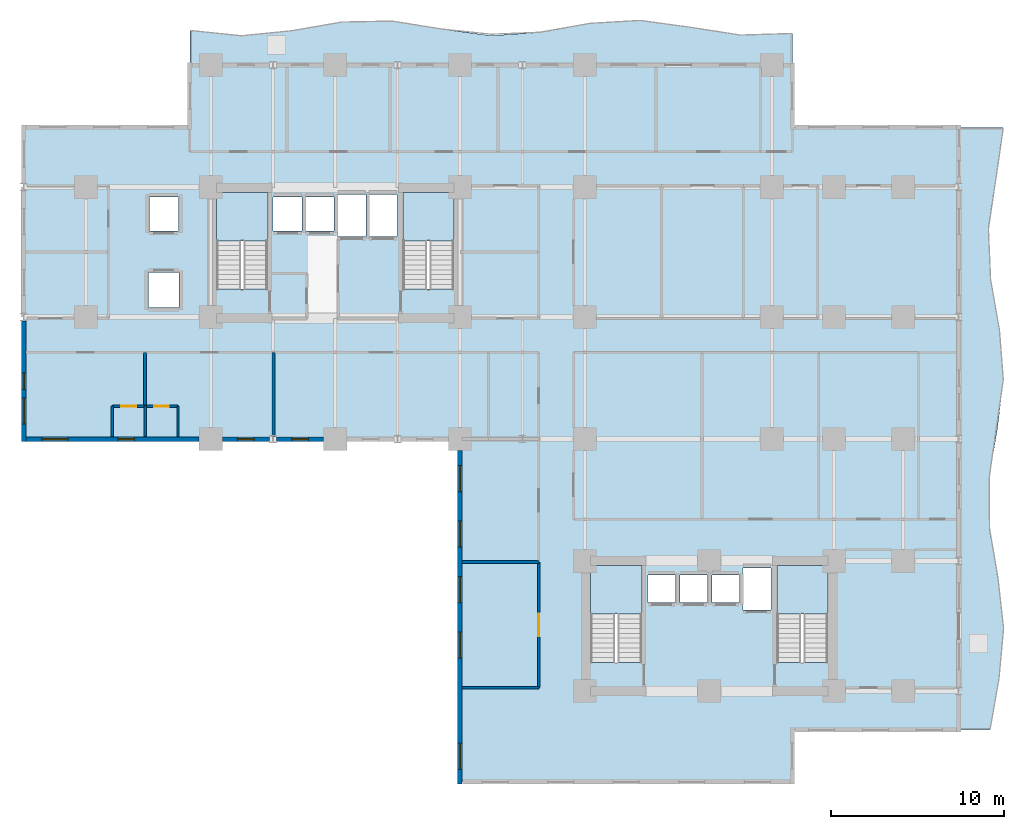
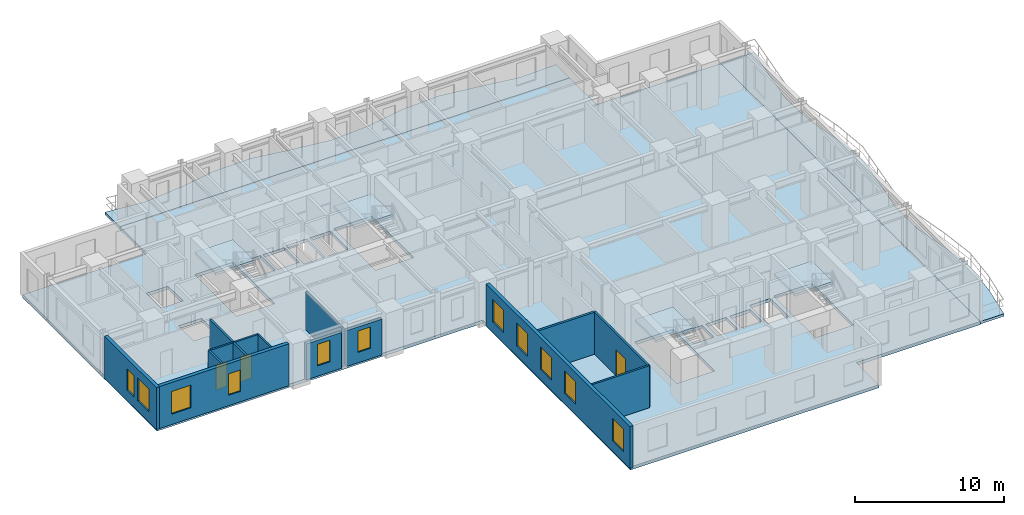
# One storey, part 2 of 11: 15 walls, 11 windows, 7 slabs, 3 doors, 14 openings, 4 elements without a shape of their own.
"""IFC4 building model written with IfcOpenShell, lengths in metres."""

import ifcopenshell
import ifcopenshell.guid

model = None  # the IFC model being written
_history = None  # IfcOwnerHistory: only IFC2X3 demands one
_inside = {}  # id of a spatial element -> (the spatial element, [elements in it])
_under = {}  # id of a project, library or spatial element -> (it, [spatial elements below it])
_declared = {}  # id of a project -> (the project, [libraries it declares])
_typed = {}  # id of a type object -> (the type object, [elements of that type])
_made_of = {}  # id of a material, layer set ... -> (it, [elements and type objects made of it])


def new_model(schema):
    """Start an empty IFC model of exactly this schema.

    Asked for "IFC4X3", IfcOpenShell would pick the latest addendum, in which some entities
    have other attributes; the version numbers below select the first issue.
    IFC2X3 requires an IfcOwnerHistory on every rooted entity: one is made here for all.
    """
    global model, _history
    if schema == "IFC4X3":
        model = ifcopenshell.file(schema_version=(4, 3, 0, 0))
    else:
        model = ifcopenshell.file(schema=schema)
    _inside.clear()
    _under.clear()
    _declared.clear()
    _typed.clear()
    _made_of.clear()
    _history = None
    if model.schema == "IFC2X3":
        org = make("IfcOrganization", Name="unknown")
        user = make(
            "IfcPersonAndOrganization",
            ThePerson=make("IfcPerson", FamilyName="unknown"),
            TheOrganization=org,
        )
        app = make(
            "IfcApplication",
            ApplicationDeveloper=org,
            Version="unknown",
            ApplicationFullName="unknown",
            ApplicationIdentifier="unknown",
        )
        _history = make(
            "IfcOwnerHistory",
            OwningUser=user,
            OwningApplication=app,
            ChangeAction="ADDED",
            CreationDate=0,
        )
    return model


def make(cls, **values):
    """One entity of the class cls with the attributes given. An attribute that is None is left unset."""
    return model.create_entity(
        cls, **{name: value for name, value in values.items() if value is not None}
    )


def rooted(cls, **values):
    """An entity with a GlobalId (a new one), such as an element, a storey or a relation."""
    return make(cls, GlobalId=ifcopenshell.guid.new(), OwnerHistory=_history, **values)


def si_unit(unit_type, name, prefix=None):
    """IfcSIUnit, for example si_unit("LENGTHUNIT", "METRE", prefix="MILLI")."""
    return make("IfcSIUnit", UnitType=unit_type, Prefix=prefix, Name=name)


def assignment(units):
    """IfcUnitAssignment: the units of a project."""
    return None if units is None else make("IfcUnitAssignment", Units=units)


def point(xyz):
    """IfcCartesianPoint."""
    return None if xyz is None else make("IfcCartesianPoint", Coordinates=xyz)


def direction(xyz):
    """IfcDirection."""
    return None if xyz is None else make("IfcDirection", DirectionRatios=xyz)


def frame(location, z_axis=None, x_axis=None):
    """IfcAxis2Placement3D, a coordinate frame: its origin and axes. An axis left out is left unset."""
    return make(
        "IfcAxis2Placement3D",
        Location=point(location),
        Axis=direction(z_axis),
        RefDirection=direction(x_axis),
    )


def frame_2d(location, x_axis=None):
    """IfcAxis2Placement2D, a coordinate frame in the plane: its origin and x axis."""
    return make(
        "IfcAxis2Placement2D", Location=point(location), RefDirection=direction(x_axis)
    )


def origin():
    """The frame at (0, 0, 0) with its axes left unset."""
    return frame((0.0, 0.0, 0.0))


def place(relative_to, where):
    """IfcLocalPlacement: puts the frame where relative to a parent placement (None: the world)."""
    return make(
        "IfcLocalPlacement", PlacementRelTo=relative_to, RelativePlacement=where
    )


def context(
    kind, dimensions, precision=None, world=None, true_north=None, identifier=None
):
    """IfcGeometricRepresentationContext, for example the 3D "Model" context."""
    return make(
        "IfcGeometricRepresentationContext",
        ContextIdentifier=identifier,
        ContextType=kind,
        CoordinateSpaceDimension=dimensions,
        Precision=precision,
        WorldCoordinateSystem=world,
        TrueNorth=true_north,
    )


def subcontext(parent, identifier, kind, view, scale=None):
    """IfcGeometricRepresentationSubContext, for example "Body" below "Model"."""
    return make(
        "IfcGeometricRepresentationSubContext",
        ContextIdentifier=identifier,
        ContextType=kind,
        ParentContext=parent,
        TargetScale=scale,
        TargetView=view,
    )


def project(units=None, contexts=None):
    """IfcProject with its units and contexts."""
    return rooted(
        "IfcProject",
        Name="project",
        RepresentationContexts=contexts,
        UnitsInContext=assignment(units),
    )


def spatial(cls, under=None, at=None, **own):
    """A site, building, storey or space (cls), placed at a placement, below another one or the project."""
    s = rooted(cls, ObjectPlacement=at, **own)
    if under is not None:
        _under.setdefault(under.id(), (under, []))[1].append(s)
    return s


def polyline(points):
    """IfcPolyline through the points."""
    return make("IfcPolyline", Points=[point(p) for p in points])


def profile(cls, at=None, kind="AREA", **sizes):
    """A parametric profile (cls). Its sizes go by their IFC names, for example OverallWidth=200.0."""
    return make(cls, ProfileType=kind, Position=at, **sizes)


def rectangle(**sizes):
    """IfcRectangleProfileDef."""
    return profile("IfcRectangleProfileDef", **sizes)


def outline(outer, holes=None, kind="AREA"):
    """IfcArbitraryClosedProfileDef: a profile drawn as a closed curve; with holes, ...WithVoids."""
    if holes is None:
        return make("IfcArbitraryClosedProfileDef", ProfileType=kind, OuterCurve=outer)
    return make(
        "IfcArbitraryProfileDefWithVoids",
        ProfileType=kind,
        OuterCurve=outer,
        InnerCurves=holes,
    )


def extrude(swept, where, along, depth):
    """IfcExtrudedAreaSolid: the profile swept, set in the frame where, extruded along a direction by depth."""
    return make(
        "IfcExtrudedAreaSolid",
        SweptArea=swept,
        Position=where,
        ExtrudedDirection=direction(along),
        Depth=depth,
    )


def shape(context_of_items, identifier, shape_type, items):
    """IfcShapeRepresentation: the items that make up one representation, for example the "Body"."""
    return make(
        "IfcShapeRepresentation",
        ContextOfItems=context_of_items,
        RepresentationIdentifier=identifier,
        RepresentationType=shape_type,
        Items=items,
    )


def material(Name=None, Category=None):
    """IfcMaterial."""
    return make("IfcMaterial", Name=Name, Category=Category)


def layer(
    of_material, thickness, ventilated=None, Name=None, Category=None, Priority=None
):
    """IfcMaterialLayer: one layer of a wall or slab, of a material (None: an air gap)."""
    return make(
        "IfcMaterialLayer",
        Material=of_material,
        LayerThickness=thickness,
        IsVentilated=ventilated,
        Name=Name,
        Category=Category,
        Priority=Priority,
    )


def layer_set(layers, Name=None):
    """IfcMaterialLayerSet."""
    return make("IfcMaterialLayerSet", MaterialLayers=layers, LayerSetName=Name)


def made_of(thing, what):
    """Note that an element or type object is made of a material, layer set ...; save() writes the relation."""
    if what is not None:
        _made_of.setdefault(what.id(), (what, []))[1].append(thing)
    return thing


def type_object(cls, material=None, **own):
    """A type object (cls), such as IfcWallType, which elements share."""
    return made_of(rooted(cls, **own), material)


def element(
    cls,
    number,
    at=None,
    inside=None,
    cuts=None,
    type_object=None,
    material=None,
    context=None,
    identifier="Body",
    shape_type=None,
    held_by="IfcProductDefinitionShape",
    body=None,
    shapes=None,
    **own,
):
    """One element of the class cls, such as IfcWall. Its Tag is "e" and its number.

    at: its placement. inside: the storey or other place that contains it. cuts: it is an
    opening in that element (IfcRelVoidsElement). A single representation is given by context,
    identifier, shape_type and body (its items); several are given by shapes. held_by: the class
    of the entity that holds the representations. save() writes the other relations.
    """
    e = rooted(cls, Tag="e%d" % number, ObjectPlacement=at, **own)
    if body is not None:
        shapes = [shape(context, identifier, shape_type, body)]
    if shapes is not None:
        e.Representation = make(held_by, Representations=shapes)
    if inside is not None:
        _inside.setdefault(inside.id(), (inside, []))[1].append(e)
    if cuts is not None:
        rooted(
            "IfcRelVoidsElement", RelatingBuildingElement=cuts, RelatedOpeningElement=e
        )
    if type_object is not None:
        _typed.setdefault(type_object.id(), (type_object, []))[1].append(e)
    return made_of(e, material)


def fill(opening, filler):
    """IfcRelFillsElement: the door or window that sits in an opening."""
    return rooted(
        "IfcRelFillsElement",
        RelatingOpeningElement=opening,
        RelatedBuildingElement=filler,
    )


def aggregate(whole, parts):
    """IfcRelAggregates: a whole, such as a stair, and the parts it consists of."""
    return rooted("IfcRelAggregates", RelatingObject=whole, RelatedObjects=parts)


def save(model, path):
    """Write the relations noted so far, then the file.

    IfcRelAggregates (storeys below a building ...), IfcRelContainedInSpatialStructure (elements
    in a storey), IfcRelDefinesByType, IfcRelAssociatesMaterial and IfcRelDeclares: one each for
    every whole, place, type object, material and project.
    """
    for whole, parts in _under.values():
        aggregate(whole, parts)
    for where, things in _inside.values():
        rooted(
            "IfcRelContainedInSpatialStructure",
            RelatedElements=things,
            RelatingStructure=where,
        )
    for kind, things in _typed.values():
        rooted("IfcRelDefinesByType", RelatedObjects=things, RelatingType=kind)
    for what, things in _made_of.values():
        rooted("IfcRelAssociatesMaterial", RelatedObjects=things, RelatingMaterial=what)
    for by, libraries in _declared.values():
        rooted("IfcRelDeclares", RelatingContext=by, RelatedDefinitions=libraries)
    model.write(path)


model = new_model("IFC4")

# Units and contexts
model_context = context("Model", 3, precision=1e-05, world=origin(), true_north=direction((0.0, 1.0)))
body_context = subcontext(model_context, "Body", "Model", "MODEL_VIEW")
ifc_project = project(units=[si_unit("LENGTHUNIT", "METRE"), si_unit("AREAUNIT", "SQUARE_METRE"), si_unit("VOLUMEUNIT", "CUBIC_METRE"), si_unit("PLANEANGLEUNIT", "RADIAN"), si_unit("MASSUNIT", "GRAM", prefix="KILO")], contexts=[model_context])

# Site, building, storey
site_placement = place(None, origin())
site = spatial("IfcSite", under=ifc_project, at=site_placement, CompositionType="ELEMENT")
building_placement = place(site_placement, origin())
building = spatial("IfcBuilding", under=site, at=building_placement, Name="Kaliganga Portal Commons", CompositionType="ELEMENT")
storey_placement = place(building_placement, frame((0.0, 0.0, 54.89990234375)))
storey = spatial("IfcBuildingStorey", under=building, at=storey_placement, Name="L13", CompositionType="ELEMENT", Elevation=54.89990234375)

# Slabs
ifc_material_1 = material(Name="Concrete C40/50", Category="concrete")
ifc_layer_1 = layer(ifc_material_1, 0.2099609375)
ifc_layer_set_1 = layer_set([ifc_layer_1], Name="Concrete C40/50")
slab_type_1 = type_object("IfcSlabType", Name="SLB-BALC-210", PredefinedType="FLOOR", material=ifc_layer_set_1)
slab_1_placement = place(storey_placement, frame((0.0, 0.0, -0.2099609375)))
element("IfcSlab", 1, at=slab_1_placement, inside=storey, type_object=slab_type_1, Name="Scalloped Tree-Planter Balcony Slab L13 balc_north", PredefinedType="FLOOR", context=body_context, shape_type="SweptSolid", body=[
    extrude(outline(polyline([(48.0, 43.199951171875), (48.0, 45.020263671875), (45.10009765625, 44.927978515625), (42.199951171875, 45.376708984375), (39.300048828125, 45.781982421875), (36.39990234375, 45.615478515625), (33.5, 45.094482421875), (30.60009765625, 44.8974609375), (27.699951171875, 45.28125), (24.800048828125, 45.745849609375), (21.89990234375, 45.685791015625), (19.0, 45.1796875), (16.10009765625, 44.886474609375), (13.199951171875, 45.1884765625), (13.199951171875, 43.199951171875), (48.0, 43.199951171875)])), origin(), (0.0, 0.0, 1.0), 0.2099609375),
])
slab_2_placement = place(storey_placement, frame((0.0, 0.0, -0.2099609375)))
element("IfcSlab", 2, at=slab_2_placement, inside=storey, type_object=slab_type_1, Name="Scalloped Tree-Planter Balcony Slab L13 balc_east", PredefinedType="FLOOR", context=body_context, shape_type="SweptSolid", body=[
    extrude(outline(polyline([(57.60009765625, 4.800048828125), (59.42041015625, 4.800048828125), (59.933349609375, 7.699951171875), (60.19873046875, 10.60009765625), (59.87060546875, 13.5), (59.376708984375, 16.39990234375), (59.360107421875, 19.300048828125), (59.843017578125, 22.199951171875), (60.19580078125, 25.10009765625), (59.958984375, 28.0), (59.441162109375, 30.89990234375), (59.31689453125, 33.800048828125), (59.748046875, 36.699951171875), (60.173095703125, 39.60009765625), (57.60009765625, 39.60009765625), (57.60009765625, 4.800048828125)])), origin(), (0.0, 0.0, 1.0), 0.2099609375),
])

# Stair, slab
stair_type = type_object("IfcStairType", Name="ST-CORE-DOGLEG", PredefinedType="HALF_TURN_STAIR", material=ifc_material_1)
stair_1_placement = place(storey_placement, origin())
stair_1 = element("IfcStair", 3, at=stair_1_placement, inside=storey, type_object=stair_type, Name="L13 Protected Exit Stair ST-A1", PredefinedType="HALF_TURN_STAIR")
ifc_layer_2 = layer(ifc_material_1, 0.199951171875)
ifc_layer_set_2 = layer_set([ifc_layer_2], Name="Concrete C40/50")
slab_type_2 = type_object("IfcSlabType", Name="SLB-STAIR-LND", PredefinedType="LANDING", material=ifc_layer_set_2)
slab_3_placement = place(storey_placement, frame((0.0, 0.0, 1.650146484375)))
slab_3 = element("IfcSlab", 4, at=slab_3_placement, type_object=slab_type_2, Name="ST-A1 landing 1", PredefinedType="LANDING", context=body_context, shape_type="SweptSolid", body=[
    extrude(outline(polyline([(17.699951171875, 33.050048828125), (17.699951171875, 35.85009765625), (14.75, 35.85009765625), (14.75, 33.050048828125), (17.699951171875, 33.050048828125)])), origin(), (0.0, 0.0, 1.0), 0.199951171875),
])
aggregate(stair_1, [slab_3])

stair_2_placement = place(storey_placement, origin())
stair_2 = element("IfcStair", 5, at=stair_2_placement, inside=storey, type_object=stair_type, Name="L13 Protected Exit Stair ST-A2", PredefinedType="HALF_TURN_STAIR")
slab_4_placement = place(storey_placement, frame((0.0, 0.0, 1.650146484375)))
slab_4 = element("IfcSlab", 6, at=slab_4_placement, type_object=slab_type_2, Name="ST-A2 landing 1", PredefinedType="LANDING", context=body_context, shape_type="SweptSolid", body=[
    extrude(outline(polyline([(28.449951171875, 33.050048828125), (28.449951171875, 35.85009765625), (25.5, 35.85009765625), (25.5, 33.050048828125), (28.449951171875, 33.050048828125)])), origin(), (0.0, 0.0, 1.0), 0.199951171875),
])
aggregate(stair_2, [slab_4])

stair_3_placement = place(storey_placement, origin())
stair_3 = element("IfcStair", 7, at=stair_3_placement, inside=storey, type_object=stair_type, Name="L13 Protected Exit Stair ST-B1", PredefinedType="HALF_TURN_STAIR")
slab_5_placement = place(storey_placement, frame((0.0, 0.0, 1.650146484375)))
slab_5 = element("IfcSlab", 8, at=slab_5_placement, type_object=slab_type_2, Name="ST-B1 landing 1", PredefinedType="LANDING", context=body_context, shape_type="SweptSolid", body=[
    extrude(outline(polyline([(39.300048828125, 11.5), (39.300048828125, 14.300048828125), (36.35009765625, 14.300048828125), (36.35009765625, 11.5), (39.300048828125, 11.5)])), origin(), (0.0, 0.0, 1.0), 0.199951171875),
])
aggregate(stair_3, [slab_5])

stair_4_placement = place(storey_placement, origin())
stair_4 = element("IfcStair", 9, at=stair_4_placement, inside=storey, type_object=stair_type, Name="L13 Protected Exit Stair ST-B2", PredefinedType="HALF_TURN_STAIR")
slab_6_placement = place(storey_placement, frame((0.0, 0.0, 1.650146484375)))
slab_6 = element("IfcSlab", 10, at=slab_6_placement, type_object=slab_type_2, Name="ST-B2 landing 1", PredefinedType="LANDING", context=body_context, shape_type="SweptSolid", body=[
    extrude(outline(polyline([(50.050048828125, 11.5), (50.050048828125, 14.300048828125), (47.10009765625, 14.300048828125), (47.10009765625, 11.5), (50.050048828125, 11.5)])), origin(), (0.0, 0.0, 1.0), 0.199951171875),
])
aggregate(stair_4, [slab_6])

# Slab
ifc_layer_3 = layer(ifc_material_1, 0.25)
ifc_layer_set_3 = layer_set([ifc_layer_3], Name="Concrete C40/50")
slab_type_3 = type_object("IfcSlabType", Name="SLB-TWR-250", PredefinedType="FLOOR", material=ifc_layer_set_3)
slab_7_placement = place(storey_placement, frame((0.0, 0.0, -0.25)))
element("IfcSlab", 11, at=slab_7_placement, inside=storey, type_object=slab_type_3, Name="Structural Floor Slab L13", PredefinedType="FLOOR", context=body_context, shape_type="SweptSolid", body=[
    extrude(outline(polyline([(28.800048828125, 1.800048828125), (48.0, 1.800048828125), (48.0, 4.800048828125), (57.60009765625, 4.800048828125), (57.60009765625, 39.60009765625), (48.0, 39.60009765625), (48.0, 43.199951171875), (13.199951171875, 43.199951171875), (13.199951171875, 39.60009765625), (3.60009765625, 39.60009765625), (3.60009765625, 21.60009765625), (28.800048828125, 21.60009765625), (28.800048828125, 1.800048828125)]), holes=[polyline([(14.75, 30.25390625), (14.75, 35.85009765625), (17.699951171875, 35.85009765625), (17.699951171875, 30.25390625), (14.75, 30.25390625)]), polyline([(25.5, 30.25390625), (25.5, 35.85009765625), (28.449951171875, 35.85009765625), (28.449951171875, 30.25390625), (25.5, 30.25390625)]), polyline([(36.35009765625, 8.7041015625), (36.35009765625, 14.300048828125), (39.300048828125, 14.300048828125), (39.300048828125, 8.7041015625), (36.35009765625, 8.7041015625)]), polyline([(47.10009765625, 8.7041015625), (47.10009765625, 14.300048828125), (50.050048828125, 14.300048828125), (50.050048828125, 8.7041015625), (47.10009765625, 8.7041015625)]), polyline([(18.014892578125, 33.614990234375), (18.014892578125, 35.5849609375), (19.68505859375, 35.5849609375), (19.68505859375, 33.614990234375), (18.014892578125, 33.614990234375)]), polyline([(19.864990234375, 33.614990234375), (19.864990234375, 35.5849609375), (21.534912109375, 35.5849609375), (21.534912109375, 33.614990234375), (19.864990234375, 33.614990234375)]), polyline([(10.81494140625, 29.18994140625), (10.81494140625, 31.2099609375), (12.5849609375, 31.2099609375), (12.5849609375, 29.18994140625), (10.81494140625, 29.18994140625)]), polyline([(10.864990234375, 33.614990234375), (10.864990234375, 35.5849609375), (12.534912109375, 35.5849609375), (12.534912109375, 33.614990234375), (10.864990234375, 33.614990234375)]), polyline([(21.739990234375, 33.2900390625), (21.739990234375, 35.7099609375), (23.360107421875, 35.7099609375), (23.360107421875, 33.2900390625), (21.739990234375, 33.2900390625)]), polyline([(23.5400390625, 33.2900390625), (23.5400390625, 35.7099609375), (25.159912109375, 35.7099609375), (25.159912109375, 33.2900390625), (23.5400390625, 33.2900390625)]), polyline([(39.6650390625, 12.1650390625), (39.6650390625, 13.735107421875), (41.235107421875, 13.735107421875), (41.235107421875, 12.1650390625), (39.6650390625, 12.1650390625)]), polyline([(41.514892578125, 12.1650390625), (41.514892578125, 13.735107421875), (43.0849609375, 13.735107421875), (43.0849609375, 12.1650390625), (41.514892578125, 12.1650390625)]), polyline([(43.364990234375, 12.1650390625), (43.364990234375, 13.735107421875), (44.93505859375, 13.735107421875), (44.93505859375, 12.1650390625), (43.364990234375, 12.1650390625)]), polyline([(45.139892578125, 11.739990234375), (45.139892578125, 14.159912109375), (46.760009765625, 14.159912109375), (46.760009765625, 11.739990234375), (45.139892578125, 11.739990234375)])]), origin(), (0.0, 0.0, 1.0), 0.25),
])

# Wall, openings, windows
ifc_material_2 = material(Name="Insulated Aluminium-Clad Spandrel Assembly", Category="aluminium")
ifc_layer_4 = layer(ifc_material_2, 0.260009765625)
ifc_layer_set_4 = layer_set([ifc_layer_4], Name="Insulated Aluminium-Clad Spandrel Assembly")
wall_type_1 = type_object("IfcWallType", Name="WL-EXT-SPAND-260", PredefinedType="STANDARD", material=ifc_layer_set_4)
wall_1_placement = place(storey_placement, frame((3.60009765625, 21.469970703125, 0.0), z_axis=(0.0, 0.0, 1.0), x_axis=(0.0, 1.0, 0.0)))
wall_1 = element("IfcWall", 12, at=wall_1_placement, inside=storey, type_object=wall_type_1, Name="Exterior Envelope Wall L13 P1-E09-S3", PredefinedType="STANDARD", context=body_context, shape_type="SweptSolid", body=[
    extrude(rectangle(XDim=6.9560546875, YDim=0.260009765625, at=frame_2d((3.47802734375, 0.0))), origin(), (0.0, 0.0, 1.0), 3.43017578125),
])
opening_1_placement = place(wall_1_placement, frame((0.989013671875, 0.0, 0.85009765625)))
opening_1 = element("IfcOpeningElement", 13, at=opening_1_placement, cuts=wall_1, Name="Opening W-02", PredefinedType="OPENING", context=body_context, shape_type="SweptSolid", body=[
    extrude(rectangle(XDim=1.5, YDim=1.85009765625, at=frame_2d((0.75, 0.925048828125))), frame((0.0, 0.14013671875, 0.0), z_axis=(0.0, -1.0, 0.0), x_axis=(1.0, 0.0, 0.0)), (0.0, 0.0, 1.0), 0.280029296875),
])
opening_2_placement = place(wall_1_placement, frame((3.0029296875, 0.0, 0.85009765625)))
opening_2 = element("IfcOpeningElement", 14, at=opening_2_placement, cuts=wall_1, Name="Opening W-04", PredefinedType="OPENING", context=body_context, shape_type="SweptSolid", body=[
    extrude(rectangle(XDim=0.949951171875, YDim=1.75, at=frame_2d((0.47509765625, 0.875))), frame((0.0, 0.14013671875, 0.0), z_axis=(0.0, -1.0, 0.0), x_axis=(1.0, 0.0, 0.0)), (0.0, 0.0, 1.0), 0.280029296875),
])
ifc_material_3 = material(Name="Thermally Broken Aluminium and Low-E Double Glazing", Category="aluminium")
window_type_1 = type_object("IfcWindowType", Name="WIN-NARROW-950", PartitioningType="SINGLE_PANEL", PredefinedType="WINDOW", material=ifc_material_3)
window_1_placement = place(opening_2_placement, origin())
window_1 = element("IfcWindow", 15, at=window_1_placement, inside=storey, type_object=window_type_1, Name="Facade Window L13-P1E09S3-N0", OverallHeight=1.75, OverallWidth=0.949951171875, PartitioningType="SINGLE_PANEL", PredefinedType="WINDOW", context=body_context, shape_type="SweptSolid", body=[
    extrude(rectangle(XDim=0.949951171875, YDim=1.75, at=frame_2d((0.47509765625, 0.875))), frame((0.0, 0.030029296875, 0.0), z_axis=(0.0, -1.0, 0.0), x_axis=(1.0, 0.0, 0.0)), (0.0, 0.0, 1.0), 0.06005859375),
])
fill(opening_2, window_1)
window_type_2 = type_object("IfcWindowType", Name="WIN-STD-1500", PartitioningType="DOUBLE_PANEL_VERTICAL", PredefinedType="WINDOW", material=ifc_material_3)
window_2_placement = place(opening_1_placement, origin())
window_2 = element("IfcWindow", 16, at=window_2_placement, inside=storey, type_object=window_type_2, Name="Facade Window L13-P1E09S3-00", OverallHeight=1.85009765625, OverallWidth=1.5, PartitioningType="SINGLE_PANEL", PredefinedType="WINDOW", context=body_context, shape_type="SweptSolid", body=[
    extrude(rectangle(XDim=1.5, YDim=1.85009765625, at=frame_2d((0.75, 0.925048828125))), frame((0.0, 0.030029296875, 0.0), z_axis=(0.0, -1.0, 0.0), x_axis=(1.0, 0.0, 0.0)), (0.0, 0.0, 1.0), 0.06005859375),
])
fill(opening_1, window_2)

wall_2_placement = place(storey_placement, frame((13.72412109375, 21.60009765625, 0.0), z_axis=(0.0, 0.0, 1.0), x_axis=(-1.0, 0.0, 0.0)))
wall_2 = element("IfcWall", 17, at=wall_2_placement, inside=storey, type_object=wall_type_1, Name="Exterior Envelope Wall L13 P1-E10-S1", PredefinedType="STANDARD", context=body_context, shape_type="SweptSolid", body=[
    extrude(rectangle(XDim=9.989013671875, YDim=0.260009765625, at=frame_2d((4.99462890625, 0.0))), origin(), (0.0, 0.0, 1.0), 3.43017578125),
])
opening_3_placement = place(wall_2_placement, frame((7.57421875, 0.0, 0.85009765625)))
opening_3 = element("IfcOpeningElement", 18, at=opening_3_placement, cuts=wall_2, Name="Opening W-02", PredefinedType="OPENING", context=body_context, shape_type="SweptSolid", body=[
    extrude(rectangle(XDim=1.5, YDim=1.85009765625, at=frame_2d((0.75, 0.925048828125))), frame((0.0, 0.14013671875, 0.0), z_axis=(0.0, -1.0, 0.0), x_axis=(1.0, 0.0, 0.0)), (0.0, 0.0, 1.0), 0.280029296875),
])
opening_4_placement = place(wall_2_placement, frame((3.720458984375, 0.0, 0.85009765625)))
opening_4 = element("IfcOpeningElement", 19, at=opening_4_placement, cuts=wall_2, Name="Opening W-04", PredefinedType="OPENING", context=body_context, shape_type="SweptSolid", body=[
    extrude(rectangle(XDim=0.949951171875, YDim=1.75, at=frame_2d((0.47509765625, 0.875))), frame((0.0, 0.14013671875, 0.0), z_axis=(0.0, -1.0, 0.0), x_axis=(1.0, 0.0, 0.0)), (0.0, 0.0, 1.0), 0.280029296875),
])
window_3_placement = place(opening_4_placement, origin())
window_3 = element("IfcWindow", 20, at=window_3_placement, inside=storey, type_object=window_type_1, Name="Facade Window L13-P1E10S1-N5", OverallHeight=1.75, OverallWidth=0.949951171875, PartitioningType="SINGLE_PANEL", PredefinedType="WINDOW", context=body_context, shape_type="SweptSolid", body=[
    extrude(rectangle(XDim=0.949951171875, YDim=1.75, at=frame_2d((0.47509765625, 0.875))), frame((0.0, 0.030029296875, 0.0), z_axis=(0.0, -1.0, 0.0), x_axis=(1.0, 0.0, 0.0)), (0.0, 0.0, 1.0), 0.06005859375),
])
fill(opening_4, window_3)
window_4_placement = place(opening_3_placement, origin())
window_4 = element("IfcWindow", 21, at=window_4_placement, inside=storey, type_object=window_type_2, Name="Facade Window L13-P1E10S1-02", OverallHeight=1.85009765625, OverallWidth=1.5, PartitioningType="SINGLE_PANEL", PredefinedType="WINDOW", context=body_context, shape_type="SweptSolid", body=[
    extrude(rectangle(XDim=1.5, YDim=1.85009765625, at=frame_2d((0.75, 0.925048828125))), frame((0.0, 0.030029296875, 0.0), z_axis=(0.0, -1.0, 0.0), x_axis=(1.0, 0.0, 0.0)), (0.0, 0.0, 1.0), 0.06005859375),
])
fill(opening_3, window_4)

# Wall, opening, window
wall_3_placement = place(storey_placement, frame((17.791015625, 21.60009765625, 0.0), z_axis=(0.0, 0.0, 1.0), x_axis=(-1.0, 0.0, 0.0)))
wall_3 = element("IfcWall", 22, at=wall_3_placement, inside=storey, type_object=wall_type_1, Name="Exterior Envelope Wall L13 P1-E10-S2", PredefinedType="STANDARD", context=body_context, shape_type="SweptSolid", body=[
    extrude(rectangle(XDim=2.715087890625, YDim=0.260009765625, at=frame_2d((1.357421875, 0.0))), origin(), (0.0, 0.0, 1.0), 2.93017578125),
])
opening_5_placement = place(wall_3_placement, frame((0.882568359375, 0.0, 0.85009765625)))
opening_5 = element("IfcOpeningElement", 23, at=opening_5_placement, cuts=wall_3, Name="Opening W-04", PredefinedType="OPENING", context=body_context, shape_type="SweptSolid", body=[
    extrude(rectangle(XDim=0.949951171875, YDim=1.75, at=frame_2d((0.47509765625, 0.875))), frame((0.0, 0.14013671875, 0.0), z_axis=(0.0, -1.0, 0.0), x_axis=(1.0, 0.0, 0.0)), (0.0, 0.0, 1.0), 0.280029296875),
])
window_5_placement = place(opening_5_placement, origin())
window_5 = element("IfcWindow", 24, at=window_5_placement, inside=storey, type_object=window_type_1, Name="Facade Window L13-P1E10S2-00", OverallHeight=1.75, OverallWidth=0.949951171875, PartitioningType="SINGLE_PANEL", PredefinedType="WINDOW", context=body_context, shape_type="SweptSolid", body=[
    extrude(rectangle(XDim=0.949951171875, YDim=1.75, at=frame_2d((0.47509765625, 0.875))), frame((0.0, 0.030029296875, 0.0), z_axis=(0.0, -1.0, 0.0), x_axis=(1.0, 0.0, 0.0)), (0.0, 0.0, 1.0), 0.06005859375),
])
fill(opening_5, window_5)

wall_4_placement = place(storey_placement, frame((20.924072265625, 21.60009765625, 0.0), z_axis=(0.0, 0.0, 1.0), x_axis=(-1.0, 0.0, 0.0)))
wall_4 = element("IfcWall", 25, at=wall_4_placement, inside=storey, type_object=wall_type_1, Name="Exterior Envelope Wall L13 P1-E10-S3", PredefinedType="STANDARD", context=body_context, shape_type="SweptSolid", body=[
    extrude(rectangle(XDim=2.715087890625, YDim=0.260009765625, at=frame_2d((1.357421875, 0.0))), origin(), (0.0, 0.0, 1.0), 2.93017578125),
])
opening_6_placement = place(wall_4_placement, frame((0.882568359375, 0.0, 0.85009765625)))
opening_6 = element("IfcOpeningElement", 26, at=opening_6_placement, cuts=wall_4, Name="Opening W-04", PredefinedType="OPENING", context=body_context, shape_type="SweptSolid", body=[
    extrude(rectangle(XDim=0.949951171875, YDim=1.75, at=frame_2d((0.47509765625, 0.875))), frame((0.0, 0.14013671875, 0.0), z_axis=(0.0, -1.0, 0.0), x_axis=(1.0, 0.0, 0.0)), (0.0, 0.0, 1.0), 0.280029296875),
])
window_6_placement = place(opening_6_placement, origin())
window_6 = element("IfcWindow", 27, at=window_6_placement, inside=storey, type_object=window_type_1, Name="Facade Window L13-P1E10S3-00", OverallHeight=1.75, OverallWidth=0.949951171875, PartitioningType="SINGLE_PANEL", PredefinedType="WINDOW", context=body_context, shape_type="SweptSolid", body=[
    extrude(rectangle(XDim=0.949951171875, YDim=1.75, at=frame_2d((0.47509765625, 0.875))), frame((0.0, 0.030029296875, 0.0), z_axis=(0.0, -1.0, 0.0), x_axis=(1.0, 0.0, 0.0)), (0.0, 0.0, 1.0), 0.06005859375),
])
fill(opening_6, window_6)

# Wall, openings, windows
wall_5_placement = place(storey_placement, frame((28.800048828125, 1.669921875, 0.0), z_axis=(0.0, 0.0, 1.0), x_axis=(0.0, 1.0, 0.0)))
wall_5 = element("IfcWall", 28, at=wall_5_placement, inside=storey, type_object=wall_type_1, Name="Exterior Envelope Wall L13 P1-E11-S1", PredefinedType="STANDARD", context=body_context, shape_type="SweptSolid", body=[
    extrude(rectangle(XDim=19.254150390625, YDim=0.260009765625, at=frame_2d((9.626953125, 0.0))), origin(), (0.0, 0.0, 1.0), 3.43017578125),
])
opening_7_placement = place(wall_5_placement, frame((0.8544921875, 0.0, 0.85009765625)))
opening_7 = element("IfcOpeningElement", 29, at=opening_7_placement, cuts=wall_5, Name="Opening W-02", PredefinedType="OPENING", context=body_context, shape_type="SweptSolid", body=[
    extrude(rectangle(XDim=1.5, YDim=1.85009765625, at=frame_2d((0.75, 0.925048828125))), frame((0.0, 0.14013671875, 0.0), z_axis=(0.0, -1.0, 0.0), x_axis=(1.0, 0.0, 0.0)), (0.0, 0.0, 1.0), 0.280029296875),
])
opening_8_placement = place(wall_5_placement, frame((7.2724609375, 0.0, 0.85009765625)))
opening_8 = element("IfcOpeningElement", 30, at=opening_8_placement, cuts=wall_5, Name="Opening W-02", PredefinedType="OPENING", context=body_context, shape_type="SweptSolid", body=[
    extrude(rectangle(XDim=1.5, YDim=1.85009765625, at=frame_2d((0.75, 0.925048828125))), frame((0.0, 0.14013671875, 0.0), z_axis=(0.0, -1.0, 0.0), x_axis=(1.0, 0.0, 0.0)), (0.0, 0.0, 1.0), 0.280029296875),
])
opening_9_placement = place(wall_5_placement, frame((10.4814453125, 0.0, 0.85009765625)))
opening_9 = element("IfcOpeningElement", 31, at=opening_9_placement, cuts=wall_5, Name="Opening W-02", PredefinedType="OPENING", context=body_context, shape_type="SweptSolid", body=[
    extrude(rectangle(XDim=1.5, YDim=1.85009765625, at=frame_2d((0.75, 0.925048828125))), frame((0.0, 0.14013671875, 0.0), z_axis=(0.0, -1.0, 0.0), x_axis=(1.0, 0.0, 0.0)), (0.0, 0.0, 1.0), 0.280029296875),
])
opening_10_placement = place(wall_5_placement, frame((13.6904296875, 0.0, 0.85009765625)))
opening_10 = element("IfcOpeningElement", 32, at=opening_10_placement, cuts=wall_5, Name="Opening W-02", PredefinedType="OPENING", context=body_context, shape_type="SweptSolid", body=[
    extrude(rectangle(XDim=1.5, YDim=1.85009765625, at=frame_2d((0.75, 0.925048828125))), frame((0.0, 0.14013671875, 0.0), z_axis=(0.0, -1.0, 0.0), x_axis=(1.0, 0.0, 0.0)), (0.0, 0.0, 1.0), 0.280029296875),
])
opening_11_placement = place(wall_5_placement, frame((16.8994140625, 0.0, 0.85009765625)))
opening_11 = element("IfcOpeningElement", 33, at=opening_11_placement, cuts=wall_5, Name="Opening W-02", PredefinedType="OPENING", context=body_context, shape_type="SweptSolid", body=[
    extrude(rectangle(XDim=1.5, YDim=1.85009765625, at=frame_2d((0.75, 0.925048828125))), frame((0.0, 0.14013671875, 0.0), z_axis=(0.0, -1.0, 0.0), x_axis=(1.0, 0.0, 0.0)), (0.0, 0.0, 1.0), 0.280029296875),
])
window_7_placement = place(opening_7_placement, origin())
window_7 = element("IfcWindow", 34, at=window_7_placement, inside=storey, type_object=window_type_2, Name="Facade Window L13-P1E11S1-00", OverallHeight=1.85009765625, OverallWidth=1.5, PartitioningType="SINGLE_PANEL", PredefinedType="WINDOW", context=body_context, shape_type="SweptSolid", body=[
    extrude(rectangle(XDim=1.5, YDim=1.85009765625, at=frame_2d((0.75, 0.925048828125))), frame((0.0, 0.030029296875, 0.0), z_axis=(0.0, -1.0, 0.0), x_axis=(1.0, 0.0, 0.0)), (0.0, 0.0, 1.0), 0.06005859375),
])
fill(opening_7, window_7)
window_8_placement = place(opening_8_placement, origin())
window_8 = element("IfcWindow", 35, at=window_8_placement, inside=storey, type_object=window_type_2, Name="Facade Window L13-P1E11S1-02", OverallHeight=1.85009765625, OverallWidth=1.5, PartitioningType="SINGLE_PANEL", PredefinedType="WINDOW", context=body_context, shape_type="SweptSolid", body=[
    extrude(rectangle(XDim=1.5, YDim=1.85009765625, at=frame_2d((0.75, 0.925048828125))), frame((0.0, 0.030029296875, 0.0), z_axis=(0.0, -1.0, 0.0), x_axis=(1.0, 0.0, 0.0)), (0.0, 0.0, 1.0), 0.06005859375),
])
fill(opening_8, window_8)
window_9_placement = place(opening_9_placement, origin())
window_9 = element("IfcWindow", 36, at=window_9_placement, inside=storey, type_object=window_type_2, Name="Facade Window L13-P1E11S1-03", OverallHeight=1.85009765625, OverallWidth=1.5, PartitioningType="SINGLE_PANEL", PredefinedType="WINDOW", context=body_context, shape_type="SweptSolid", body=[
    extrude(rectangle(XDim=1.5, YDim=1.85009765625, at=frame_2d((0.75, 0.925048828125))), frame((0.0, 0.030029296875, 0.0), z_axis=(0.0, -1.0, 0.0), x_axis=(1.0, 0.0, 0.0)), (0.0, 0.0, 1.0), 0.06005859375),
])
fill(opening_9, window_9)
window_10_placement = place(opening_10_placement, origin())
window_10 = element("IfcWindow", 37, at=window_10_placement, inside=storey, type_object=window_type_2, Name="Facade Window L13-P1E11S1-04", OverallHeight=1.85009765625, OverallWidth=1.5, PartitioningType="SINGLE_PANEL", PredefinedType="WINDOW", context=body_context, shape_type="SweptSolid", body=[
    extrude(rectangle(XDim=1.5, YDim=1.85009765625, at=frame_2d((0.75, 0.925048828125))), frame((0.0, 0.030029296875, 0.0), z_axis=(0.0, -1.0, 0.0), x_axis=(1.0, 0.0, 0.0)), (0.0, 0.0, 1.0), 0.06005859375),
])
fill(opening_10, window_10)
window_11_placement = place(opening_11_placement, origin())
window_11 = element("IfcWindow", 38, at=window_11_placement, inside=storey, type_object=window_type_2, Name="Facade Window L13-P1E11S1-05", OverallHeight=1.85009765625, OverallWidth=1.5, PartitioningType="SINGLE_PANEL", PredefinedType="WINDOW", context=body_context, shape_type="SweptSolid", body=[
    extrude(rectangle(XDim=1.5, YDim=1.85009765625, at=frame_2d((0.75, 0.925048828125))), frame((0.0, 0.030029296875, 0.0), z_axis=(0.0, -1.0, 0.0), x_axis=(1.0, 0.0, 0.0)), (0.0, 0.0, 1.0), 0.06005859375),
])
fill(opening_11, window_11)

# Wall, opening, door
ifc_material_4 = material(Name="Fire-Rated Gypsum Board on Steel Stud", Category="steel")
ifc_layer_5 = layer(ifc_material_4, 0.14990234375)
ifc_layer_set_5 = layer_set([ifc_layer_5], Name="Fire-Rated Gypsum Board on Steel Stud")
wall_type_2 = type_object("IfcWallType", Name="WL-PART-CORR-150", PredefinedType="PARTITIONING", material=ifc_layer_set_5)
wall_6_placement = place(storey_placement, frame((33.360107421875, 7.239990234375, 0.0), z_axis=(0.0, 0.0, 1.0), x_axis=(0.0, 1.0, 0.0)))
wall_6 = element("IfcWall", 39, at=wall_6_placement, inside=storey, type_object=wall_type_2, Name="Interior Partition L13-015", PredefinedType="PARTITIONING", context=body_context, shape_type="SweptSolid", body=[
    extrude(rectangle(XDim=7.260009765625, YDim=0.14990234375, at=frame_2d((3.6298828125, 0.0))), origin(), (0.0, 0.0, 1.0), 3.43017578125),
])
opening_12_placement = place(wall_6_placement, frame((2.97998046875, 0.0, 0.0)))
opening_12 = element("IfcOpeningElement", 40, at=opening_12_placement, cuts=wall_6, Name="Opening RD-03", PredefinedType="OPENING", context=body_context, shape_type="SweptSolid", body=[
    extrude(rectangle(XDim=1.300048828125, YDim=2.1201171875, at=frame_2d((0.64990234375, 1.06005859375))), frame((0.0, 0.0849609375, 0.0), z_axis=(0.0, -1.0, 0.0), x_axis=(1.0, 0.0, 0.0)), (0.0, 0.0, 1.0), 0.169921875),
])
ifc_material_5 = material(Name="Glazed Timber Seminar Vision Door", Category="wood")
door_type_1 = type_object("IfcDoorType", Name="DR-STUDY-1300", OperationType="DOUBLE_DOOR_SINGLE_SWING", PredefinedType="DOOR", material=ifc_material_5)
door_1_placement = place(opening_12_placement, origin())
door_1 = element("IfcDoor", 41, at=door_1_placement, inside=storey, type_object=door_type_1, Name="Interior Door L13-KW01", OperationType="DOUBLE_DOOR_SINGLE_SWING", OverallHeight=2.1201171875, OverallWidth=1.300048828125, PredefinedType="DOOR", context=body_context, shape_type="SweptSolid", body=[
    extrude(rectangle(XDim=1.300048828125, YDim=2.1201171875, at=frame_2d((0.64990234375, 1.06005859375))), frame((0.0, 0.02490234375, 0.0), z_axis=(0.0, -1.0, 0.0), x_axis=(1.0, 0.0, 0.0)), (0.0, 0.0, 1.0), 0.050048828125),
])
fill(opening_12, door_1)

# Walls
wall_7_placement = place(storey_placement, frame((28.931884765625, 7.239990234375, 0.0), z_axis=(0.0, 0.0, 1.0), x_axis=(1.0, 0.0, 0.0)))
element("IfcWall", 42, at=wall_7_placement, inside=storey, type_object=wall_type_2, Name="Interior Partition L13-033", PredefinedType="PARTITIONING", context=body_context, shape_type="SweptSolid", body=[
    extrude(rectangle(XDim=4.42822265625, YDim=0.14990234375, at=frame_2d((2.214111328125, 0.0))), origin(), (0.0, 0.0, 1.0), 3.43017578125),
])
ifc_material_6 = material(Name="Twin-Stud Acoustic Gypsum Partition", Category="gypsum")
ifc_layer_6 = layer(ifc_material_6, 0.1650390625)
ifc_layer_set_6 = layer_set([ifc_layer_6], Name="Twin-Stud Acoustic Gypsum Partition")
wall_type_3 = type_object("IfcWallType", Name="WL-PART-UNIT-165", PredefinedType="PARTITIONING", material=ifc_layer_set_6)
wall_8_placement = place(storey_placement, frame((18.0400390625, 21.73193359375, 0.0), z_axis=(0.0, 0.0, 1.0), x_axis=(0.0, 1.0, 0.0)))
element("IfcWall", 43, at=wall_8_placement, inside=storey, type_object=wall_type_3, Name="Interior Partition L13-061", PredefinedType="PARTITIONING", context=body_context, shape_type="SweptSolid", body=[
    extrude(rectangle(XDim=4.8681640625, YDim=0.1650390625, at=frame_2d((2.43408203125, 0.0))), origin(), (0.0, 0.0, 1.0), 3.070068359375),
])
wall_9_placement = place(storey_placement, frame((28.931884765625, 14.5, 0.0), z_axis=(0.0, 0.0, 1.0), x_axis=(1.0, 0.0, 0.0)))
element("IfcWall", 44, at=wall_9_placement, inside=storey, type_object=wall_type_3, Name="Interior Partition L13-074", PredefinedType="PARTITIONING", context=body_context, shape_type="SweptSolid", body=[
    extrude(rectangle(XDim=4.42822265625, YDim=0.1650390625, at=frame_2d((2.214111328125, 0.0))), origin(), (0.0, 0.0, 1.0), 3.43017578125),
])
wall_10_placement = place(storey_placement, frame((10.6201171875, 23.5, 0.0), z_axis=(0.0, 0.0, 1.0), x_axis=(0.0, 1.0, 0.0)))
element("IfcWall", 45, at=wall_10_placement, inside=storey, type_object=wall_type_3, Name="Interior Partition L13-079", PredefinedType="PARTITIONING", context=body_context, shape_type="SweptSolid", body=[
    extrude(rectangle(XDim=3.10009765625, YDim=0.1650390625, at=frame_2d((1.550048828125, 0.0))), origin(), (0.0, 0.0, 1.0), 3.43017578125),
])

# Wall, opening, door
ifc_material_7 = material(Name="Cement-Board Wet-Room Partition", Category="gypsum")
ifc_layer_7 = layer(ifc_material_7, 0.135009765625)
ifc_layer_set_7 = layer_set([ifc_layer_7], Name="Cement-Board Wet-Room Partition")
wall_type_4 = type_object("IfcWallType", Name="WL-PART-WET-135", PredefinedType="PARTITIONING", material=ifc_layer_set_7)
wall_11_placement = place(storey_placement, frame((10.6201171875, 23.5, 0.0), z_axis=(0.0, 0.0, 1.0), x_axis=(1.0, 0.0, 0.0)))
wall_11 = element("IfcWall", 46, at=wall_11_placement, inside=storey, type_object=wall_type_4, Name="Interior Partition L13-001", PredefinedType="PARTITIONING", context=body_context, shape_type="SweptSolid", body=[
    extrude(rectangle(XDim=1.89990234375, YDim=0.135009765625, at=frame_2d((0.949951171875, 0.0))), origin(), (0.0, 0.0, 1.0), 3.43017578125),
])
opening_13_placement = place(wall_11_placement, frame((0.52490234375, 0.0, 0.0)))
opening_13 = element("IfcOpeningElement", 47, at=opening_13_placement, cuts=wall_11, Name="Opening WD-01", PredefinedType="OPENING", context=body_context, shape_type="SweptSolid", body=[
    extrude(rectangle(XDim=0.85009765625, YDim=2.0400390625, at=frame_2d((0.425048828125, 1.02001953125))), frame((0.0, 0.07763671875, 0.0), z_axis=(0.0, -1.0, 0.0), x_axis=(1.0, 0.0, 0.0)), (0.0, 0.0, 1.0), 0.155029296875),
])
ifc_material_8 = material(Name="Moisture-Resistant Laminate Timber Door", Category="wood")
door_type_2 = type_object("IfcDoorType", Name="DR-WET-850", OperationType="NOTDEFINED", PredefinedType="DOOR", material=ifc_material_8)
door_2_placement = place(opening_13_placement, origin())
door_2 = element("IfcDoor", 48, at=door_2_placement, inside=storey, type_object=door_type_2, Name="Interior Door L13-AS02E", OperationType="SINGLE_SWING_RIGHT", OverallHeight=2.0400390625, OverallWidth=0.85009765625, PredefinedType="DOOR", context=body_context, shape_type="SweptSolid", body=[
    extrude(rectangle(XDim=0.85009765625, YDim=2.0400390625, at=frame_2d((0.425048828125, 1.02001953125))), frame((0.0, 0.02490234375, 0.0), z_axis=(0.0, -1.0, 0.0), x_axis=(1.0, 0.0, 0.0)), (0.0, 0.0, 1.0), 0.050048828125),
])
fill(opening_13, door_2)

wall_12_placement = place(storey_placement, frame((8.719970703125, 23.5, 0.0), z_axis=(0.0, 0.0, 1.0), x_axis=(1.0, 0.0, 0.0)))
wall_12 = element("IfcWall", 49, at=wall_12_placement, inside=storey, type_object=wall_type_4, Name="Interior Partition L13-002", PredefinedType="PARTITIONING", context=body_context, shape_type="SweptSolid", body=[
    extrude(rectangle(XDim=1.900146484375, YDim=0.135009765625, at=frame_2d((0.9501953125, 0.0))), origin(), (0.0, 0.0, 1.0), 3.43017578125),
])
opening_14_placement = place(wall_12_placement, frame((0.52490234375, 0.0, 0.0)))
opening_14 = element("IfcOpeningElement", 50, at=opening_14_placement, cuts=wall_12, Name="Opening WD-01", PredefinedType="OPENING", context=body_context, shape_type="SweptSolid", body=[
    extrude(rectangle(XDim=0.85009765625, YDim=2.0400390625, at=frame_2d((0.425048828125, 1.02001953125))), frame((0.0, 0.07763671875, 0.0), z_axis=(0.0, -1.0, 0.0), x_axis=(1.0, 0.0, 0.0)), (0.0, 0.0, 1.0), 0.155029296875),
])
door_3_placement = place(opening_14_placement, origin())
door_3 = element("IfcDoor", 51, at=door_3_placement, inside=storey, type_object=door_type_2, Name="Interior Door L13-AS01E", OperationType="SINGLE_SWING_LEFT", OverallHeight=2.0400390625, OverallWidth=0.85009765625, PredefinedType="DOOR", context=body_context, shape_type="SweptSolid", body=[
    extrude(rectangle(XDim=0.85009765625, YDim=2.0400390625, at=frame_2d((0.425048828125, 1.02001953125))), frame((0.0, 0.02490234375, 0.0), z_axis=(0.0, -1.0, 0.0), x_axis=(1.0, 0.0, 0.0)), (0.0, 0.0, 1.0), 0.050048828125),
])
fill(opening_14, door_3)

# Walls
for number, where, z_axis, x_axis, name in (
    (52, (8.719970703125, 21.73193359375, 0.0), (0.0, 0.0, 1.0), (0.0, 1.0, 0.0), "Interior Partition L13-003"),
    (53, (10.6201171875, 21.73193359375, 0.0), (0.0, 0.0, 1.0), (0.0, 1.0, 0.0), "Interior Partition L13-004"),
    (54, (12.52001953125, 21.73193359375, 0.0), (0.0, 0.0, 1.0), (0.0, 1.0, 0.0), "Interior Partition L13-005"),
):
    element("IfcWall", number, at=place(storey_placement, frame(where, z_axis=z_axis, x_axis=x_axis)), inside=storey, type_object=wall_type_4, Name=name, PredefinedType="PARTITIONING", context=body_context, shape_type="SweptSolid", body=[
        extrude(rectangle(XDim=1.76806640625, YDim=0.135009765625, at=frame_2d((0.884033203125, 0.0))), origin(), (0.0, 0.0, 1.0), 3.43017578125),
    ])

save(model, "model.ifc")
